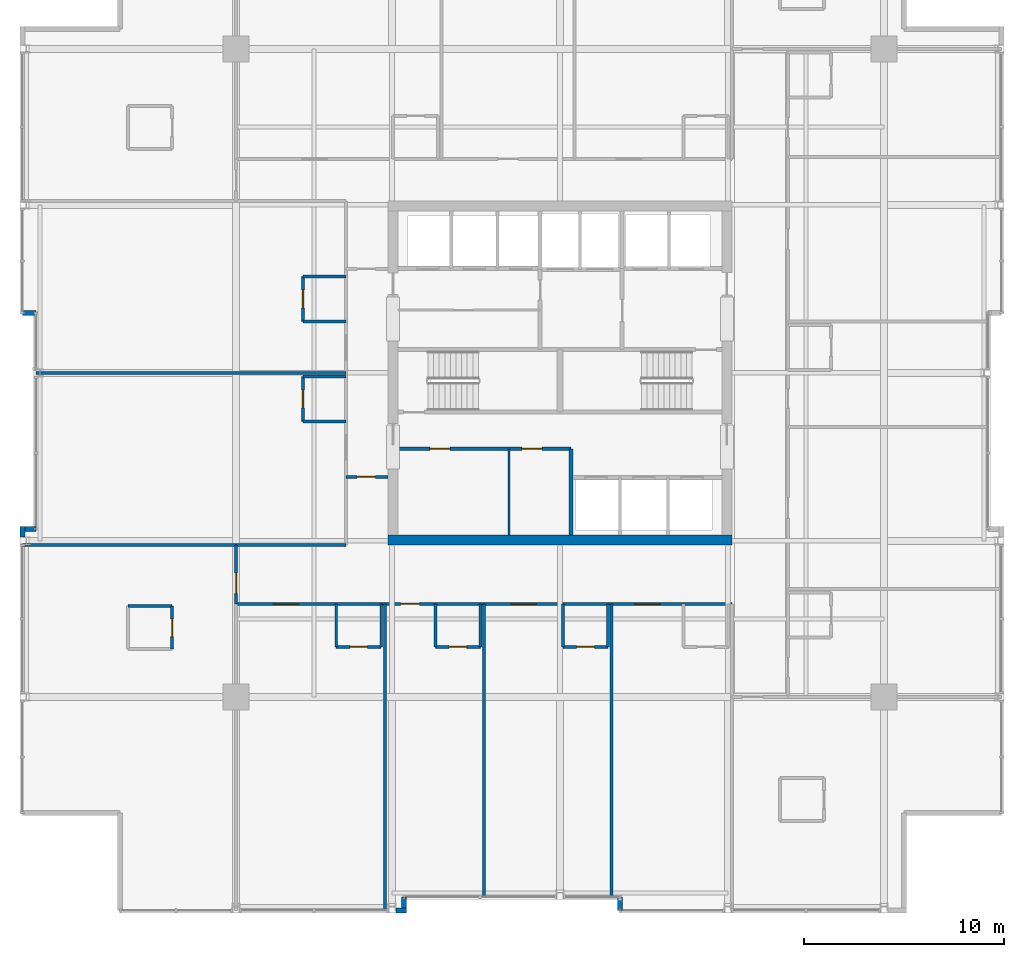
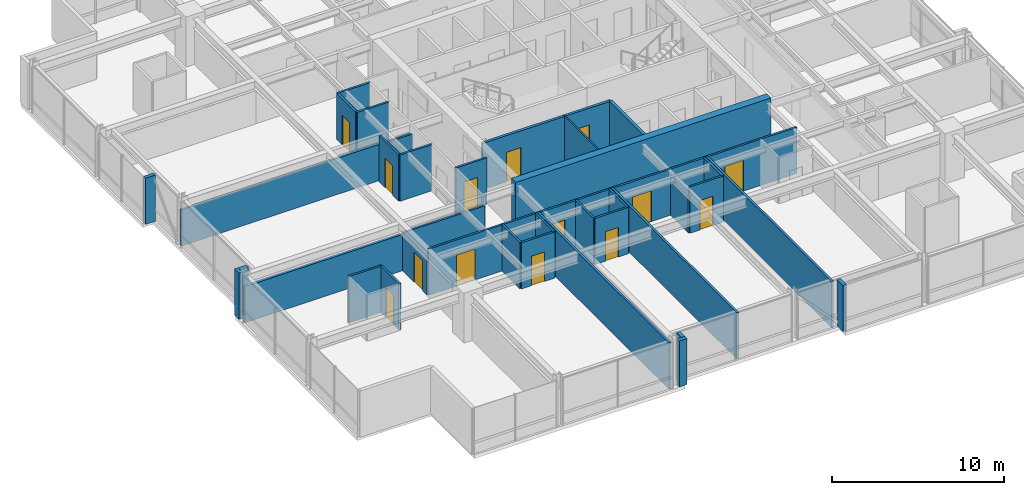
# One storey, part 27 of 34: 36 walls, 14 doors, 14 openings.
"""IFC4 building model written with IfcOpenShell, lengths in metres."""

import ifcopenshell
import ifcopenshell.guid

model = None  # the IFC model being written
_history = None  # IfcOwnerHistory: only IFC2X3 demands one
_inside = {}  # id of a spatial element -> (the spatial element, [elements in it])
_under = {}  # id of a project, library or spatial element -> (it, [spatial elements below it])
_declared = {}  # id of a project -> (the project, [libraries it declares])
_typed = {}  # id of a type object -> (the type object, [elements of that type])
_made_of = {}  # id of a material, layer set ... -> (it, [elements and type objects made of it])


def new_model(schema):
    """Start an empty IFC model of exactly this schema.

    Asked for "IFC4X3", IfcOpenShell would pick the latest addendum, in which some entities
    have other attributes; the version numbers below select the first issue.
    IFC2X3 requires an IfcOwnerHistory on every rooted entity: one is made here for all.
    """
    global model, _history
    if schema == "IFC4X3":
        model = ifcopenshell.file(schema_version=(4, 3, 0, 0))
    else:
        model = ifcopenshell.file(schema=schema)
    _inside.clear()
    _under.clear()
    _declared.clear()
    _typed.clear()
    _made_of.clear()
    _history = None
    if model.schema == "IFC2X3":
        org = make("IfcOrganization", Name="unknown")
        user = make(
            "IfcPersonAndOrganization",
            ThePerson=make("IfcPerson", FamilyName="unknown"),
            TheOrganization=org,
        )
        app = make(
            "IfcApplication",
            ApplicationDeveloper=org,
            Version="unknown",
            ApplicationFullName="unknown",
            ApplicationIdentifier="unknown",
        )
        _history = make(
            "IfcOwnerHistory",
            OwningUser=user,
            OwningApplication=app,
            ChangeAction="ADDED",
            CreationDate=0,
        )
    return model


def make(cls, **values):
    """One entity of the class cls with the attributes given. An attribute that is None is left unset."""
    return model.create_entity(
        cls, **{name: value for name, value in values.items() if value is not None}
    )


def rooted(cls, **values):
    """An entity with a GlobalId (a new one), such as an element, a storey or a relation."""
    return make(cls, GlobalId=ifcopenshell.guid.new(), OwnerHistory=_history, **values)


def si_unit(unit_type, name, prefix=None):
    """IfcSIUnit, for example si_unit("LENGTHUNIT", "METRE", prefix="MILLI")."""
    return make("IfcSIUnit", UnitType=unit_type, Prefix=prefix, Name=name)


def assignment(units):
    """IfcUnitAssignment: the units of a project."""
    return None if units is None else make("IfcUnitAssignment", Units=units)


def point(xyz):
    """IfcCartesianPoint."""
    return None if xyz is None else make("IfcCartesianPoint", Coordinates=xyz)


def direction(xyz):
    """IfcDirection."""
    return None if xyz is None else make("IfcDirection", DirectionRatios=xyz)


def frame(location, z_axis=None, x_axis=None):
    """IfcAxis2Placement3D, a coordinate frame: its origin and axes. An axis left out is left unset."""
    return make(
        "IfcAxis2Placement3D",
        Location=point(location),
        Axis=direction(z_axis),
        RefDirection=direction(x_axis),
    )


def frame_2d(location, x_axis=None):
    """IfcAxis2Placement2D, a coordinate frame in the plane: its origin and x axis."""
    return make(
        "IfcAxis2Placement2D", Location=point(location), RefDirection=direction(x_axis)
    )


def origin():
    """The frame at (0, 0, 0) with its axes left unset."""
    return frame((0.0, 0.0, 0.0))


def place(relative_to, where):
    """IfcLocalPlacement: puts the frame where relative to a parent placement (None: the world)."""
    return make(
        "IfcLocalPlacement", PlacementRelTo=relative_to, RelativePlacement=where
    )


def context(
    kind, dimensions, precision=None, world=None, true_north=None, identifier=None
):
    """IfcGeometricRepresentationContext, for example the 3D "Model" context."""
    return make(
        "IfcGeometricRepresentationContext",
        ContextIdentifier=identifier,
        ContextType=kind,
        CoordinateSpaceDimension=dimensions,
        Precision=precision,
        WorldCoordinateSystem=world,
        TrueNorth=true_north,
    )


def subcontext(parent, identifier, kind, view, scale=None):
    """IfcGeometricRepresentationSubContext, for example "Body" below "Model"."""
    return make(
        "IfcGeometricRepresentationSubContext",
        ContextIdentifier=identifier,
        ContextType=kind,
        ParentContext=parent,
        TargetScale=scale,
        TargetView=view,
    )


def project(units=None, contexts=None):
    """IfcProject with its units and contexts."""
    return rooted(
        "IfcProject",
        Name="project",
        RepresentationContexts=contexts,
        UnitsInContext=assignment(units),
    )


def spatial(cls, under=None, at=None, **own):
    """A site, building, storey or space (cls), placed at a placement, below another one or the project."""
    s = rooted(cls, ObjectPlacement=at, **own)
    if under is not None:
        _under.setdefault(under.id(), (under, []))[1].append(s)
    return s


def profile(cls, at=None, kind="AREA", **sizes):
    """A parametric profile (cls). Its sizes go by their IFC names, for example OverallWidth=200.0."""
    return make(cls, ProfileType=kind, Position=at, **sizes)


def rectangle(**sizes):
    """IfcRectangleProfileDef."""
    return profile("IfcRectangleProfileDef", **sizes)


def extrude(swept, where, along, depth):
    """IfcExtrudedAreaSolid: the profile swept, set in the frame where, extruded along a direction by depth."""
    return make(
        "IfcExtrudedAreaSolid",
        SweptArea=swept,
        Position=where,
        ExtrudedDirection=direction(along),
        Depth=depth,
    )


def shape(context_of_items, identifier, shape_type, items):
    """IfcShapeRepresentation: the items that make up one representation, for example the "Body"."""
    return make(
        "IfcShapeRepresentation",
        ContextOfItems=context_of_items,
        RepresentationIdentifier=identifier,
        RepresentationType=shape_type,
        Items=items,
    )


def material(Name=None, Category=None):
    """IfcMaterial."""
    return make("IfcMaterial", Name=Name, Category=Category)


def layer(
    of_material, thickness, ventilated=None, Name=None, Category=None, Priority=None
):
    """IfcMaterialLayer: one layer of a wall or slab, of a material (None: an air gap)."""
    return make(
        "IfcMaterialLayer",
        Material=of_material,
        LayerThickness=thickness,
        IsVentilated=ventilated,
        Name=Name,
        Category=Category,
        Priority=Priority,
    )


def layer_set(layers, Name=None):
    """IfcMaterialLayerSet."""
    return make("IfcMaterialLayerSet", MaterialLayers=layers, LayerSetName=Name)


def made_of(thing, what):
    """Note that an element or type object is made of a material, layer set ...; save() writes the relation."""
    if what is not None:
        _made_of.setdefault(what.id(), (what, []))[1].append(thing)
    return thing


def type_object(cls, material=None, **own):
    """A type object (cls), such as IfcWallType, which elements share."""
    return made_of(rooted(cls, **own), material)


def element(
    cls,
    number,
    at=None,
    inside=None,
    cuts=None,
    type_object=None,
    material=None,
    context=None,
    identifier="Body",
    shape_type=None,
    held_by="IfcProductDefinitionShape",
    body=None,
    shapes=None,
    **own,
):
    """One element of the class cls, such as IfcWall. Its Tag is "e" and its number.

    at: its placement. inside: the storey or other place that contains it. cuts: it is an
    opening in that element (IfcRelVoidsElement). A single representation is given by context,
    identifier, shape_type and body (its items); several are given by shapes. held_by: the class
    of the entity that holds the representations. save() writes the other relations.
    """
    e = rooted(cls, Tag="e%d" % number, ObjectPlacement=at, **own)
    if body is not None:
        shapes = [shape(context, identifier, shape_type, body)]
    if shapes is not None:
        e.Representation = make(held_by, Representations=shapes)
    if inside is not None:
        _inside.setdefault(inside.id(), (inside, []))[1].append(e)
    if cuts is not None:
        rooted(
            "IfcRelVoidsElement", RelatingBuildingElement=cuts, RelatedOpeningElement=e
        )
    if type_object is not None:
        _typed.setdefault(type_object.id(), (type_object, []))[1].append(e)
    return made_of(e, material)


def fill(opening, filler):
    """IfcRelFillsElement: the door or window that sits in an opening."""
    return rooted(
        "IfcRelFillsElement",
        RelatingOpeningElement=opening,
        RelatedBuildingElement=filler,
    )


def aggregate(whole, parts):
    """IfcRelAggregates: a whole, such as a stair, and the parts it consists of."""
    return rooted("IfcRelAggregates", RelatingObject=whole, RelatedObjects=parts)


def save(model, path):
    """Write the relations noted so far, then the file.

    IfcRelAggregates (storeys below a building ...), IfcRelContainedInSpatialStructure (elements
    in a storey), IfcRelDefinesByType, IfcRelAssociatesMaterial and IfcRelDeclares: one each for
    every whole, place, type object, material and project.
    """
    for whole, parts in _under.values():
        aggregate(whole, parts)
    for where, things in _inside.values():
        rooted(
            "IfcRelContainedInSpatialStructure",
            RelatedElements=things,
            RelatingStructure=where,
        )
    for kind, things in _typed.values():
        rooted("IfcRelDefinesByType", RelatedObjects=things, RelatingType=kind)
    for what, things in _made_of.values():
        rooted("IfcRelAssociatesMaterial", RelatedObjects=things, RelatingMaterial=what)
    for by, libraries in _declared.values():
        rooted("IfcRelDeclares", RelatingContext=by, RelatedDefinitions=libraries)
    model.write(path)


model = new_model("IFC4")

# Units and contexts
model_context = context("Model", 3, precision=1e-05, world=origin(), true_north=direction((0.0, 1.0)))
body_context = subcontext(model_context, "Body", "Model", "MODEL_VIEW")
ifc_project = project(units=[si_unit("LENGTHUNIT", "METRE"), si_unit("AREAUNIT", "SQUARE_METRE"), si_unit("VOLUMEUNIT", "CUBIC_METRE"), si_unit("PLANEANGLEUNIT", "RADIAN"), si_unit("MASSUNIT", "GRAM", prefix="KILO")], contexts=[model_context])

# Site, building, storey
site_placement = place(None, origin())
site = spatial("IfcSite", under=ifc_project, at=site_placement, CompositionType="ELEMENT")
building_placement = place(site_placement, origin())
building = spatial("IfcBuilding", under=site, at=building_placement, Name="Drelvath Grand Hotel", CompositionType="ELEMENT")
storey_placement = place(building_placement, frame((0.0, 0.0, 175.25)))
storey = spatial("IfcBuildingStorey", under=building, at=storey_placement, Name="L45", CompositionType="ELEMENT", Elevation=175.25)

# Walls
ifc_material_1 = material(Name="Gypsum Partition Board")
ifc_layer_1 = layer(ifc_material_1, 0.10009765625)
ifc_layer_set_1 = layer_set([ifc_layer_1], Name="Gypsum Partition Board")
wall_type_1 = type_object("IfcWallType", Name="Core Closet Partition 100", PredefinedType="PARTITIONING", material=ifc_layer_set_1)
wall_1_placement = place(storey_placement, frame((-2.5400390625, 18.89990234375, 0.0), z_axis=(0.0, 0.0, 1.0), x_axis=(0.0, 1.0, 0.0)))
element("IfcWall", 1, at=wall_1_placement, inside=storey, type_object=wall_type_1, Name="L45 Reclaimed Core Split Wall", PredefinedType="PARTITIONING", context=body_context, shape_type="SweptSolid", body=[
    extrude(rectangle(XDim=4.300048828125, YDim=0.10009765625, at=frame_2d((2.14990234375, 0.0))), origin(), (0.0, 0.0, 1.0), 3.2900390625),
])
ifc_material_2 = material(Name="Concrete C40/50", Category="concrete")
ifc_layer_2 = layer(ifc_material_2, 0.199951171875)
ifc_layer_set_2 = layer_set([ifc_layer_2], Name="Concrete C40/50")
wall_type_2 = type_object("IfcWallType", Name="Core Hoistway Fire Wall 200", PredefinedType="SOLIDWALL", material=ifc_layer_set_2)
wall_2_placement = place(storey_placement, frame((0.550048828125, 18.89990234375, 0.0), z_axis=(0.0, 0.0, 1.0), x_axis=(0.0, 1.0, 0.0)))
element("IfcWall", 2, at=wall_2_placement, inside=storey, type_object=wall_type_2, Name="L45 Bank 2 West Wall", PredefinedType="SOLIDWALL", context=body_context, shape_type="SweptSolid", body=[
    extrude(rectangle(XDim=4.300048828125, YDim=0.199951171875, at=frame_2d((2.14990234375, 0.0))), origin(), (0.0, 0.0, 1.0), 3.2900390625),
])

# Wall, opening, door
ifc_material_3 = material(Name="Gypsum Fireboard Partition")
ifc_layer_3 = layer(ifc_material_3, 0.135009765625)
ifc_layer_set_3 = layer_set([ifc_layer_3], Name="Gypsum Fireboard Partition")
wall_type_3 = type_object("IfcWallType", Name="Corridor Fire Barrier Wall 135", PredefinedType="PARTITIONING", material=ifc_layer_set_3)
wall_3_placement = place(storey_placement, frame((-10.699951171875, 21.800048828125, 0.0), z_axis=(0.0, 0.0, 1.0), x_axis=(1.0, 0.0, 0.0)))
wall_3 = element("IfcWall", 3, at=wall_3_placement, inside=storey, type_object=wall_type_3, Name="L45 West Foyer South Wall", PredefinedType="PARTITIONING", context=body_context, shape_type="SweptSolid", body=[
    extrude(rectangle(XDim=2.099853515625, YDim=0.135009765625, at=frame_2d((1.0498046875, 0.0))), origin(), (0.0, 0.0, 1.0), 3.2900390625),
])
opening_1_placement = place(wall_3_placement, frame((0.550048828125, 0.0, 0.0)))
opening_1 = element("IfcOpeningElement", 4, at=opening_1_placement, cuts=wall_3, Name="Opening D-T3G3-022", PredefinedType="OPENING", context=body_context, shape_type="SweptSolid", body=[
    extrude(rectangle(XDim=0.919921875, YDim=2.10009765625, at=frame_2d((0.4599609375, 1.050048828125))), frame((0.0, 0.077392578125, 0.0), z_axis=(0.0, -1.0, 0.0), x_axis=(1.0, 0.0, 0.0)), (0.0, 0.0, 1.0), 0.155029296875),
])
ifc_material_4 = material(Name="Painted Steel S275", Category="steel")
door_type_1 = type_object("IfcDoorType", Name="Staff Utility Door 920x2100", OperationType="NOTDEFINED", PredefinedType="DOOR", material=ifc_material_4)
door_1_placement = place(opening_1_placement, origin())
door_1 = element("IfcDoor", 5, at=door_1_placement, inside=storey, type_object=door_type_1, Name="L45 West Linen Closet Door", OperationType="SINGLE_SWING_RIGHT", OverallHeight=2.10009765625, OverallWidth=0.919921875, PredefinedType="DOOR", context=body_context, shape_type="SweptSolid", body=[
    extrude(rectangle(XDim=0.919921875, YDim=2.10009765625, at=frame_2d((0.4599609375, 1.050048828125))), frame((0.0, 0.02490234375, 0.0), z_axis=(0.0, -1.0, 0.0), x_axis=(1.0, 0.0, 0.0)), (0.0, 0.0, 1.0), 0.050048828125),
])
fill(opening_1, door_1)

# Wall
wall_4_placement = place(storey_placement, frame((-16.199951171875, 18.39990234375, 0.0), z_axis=(0.0, 0.0, 1.0), x_axis=(1.0, 0.0, 0.0)))
element("IfcWall", 6, at=wall_4_placement, inside=storey, type_object=wall_type_3, Name="L45 SW Stub North Wall", PredefinedType="PARTITIONING", context=body_context, shape_type="SweptSolid", body=[
    extrude(rectangle(XDim=5.5, YDim=0.135009765625, at=frame_2d((2.75, 0.0))), origin(), (0.0, 0.0, 1.0), 2.66748046875),
])

# Wall, openings, doors
wall_5_placement = place(storey_placement, frame((-16.199951171875, 15.449951171875, 0.0), z_axis=(0.0, 0.0, 1.0), x_axis=(1.0, 0.0, 0.0)))
wall_5 = element("IfcWall", 7, at=wall_5_placement, inside=storey, type_object=wall_type_3, Name="L45 South Stub Corridor Wall", PredefinedType="PARTITIONING", context=body_context, shape_type="SweptSolid", body=[
    extrude(rectangle(XDim=24.800048828125, YDim=0.135009765625, at=frame_2d((12.39990234375, 0.0))), origin(), (0.0, 0.0, 1.0), 3.2900390625),
])
opening_2_placement = place(wall_5_placement, frame((1.875, 0.0, 0.0)))
opening_2 = element("IfcOpeningElement", 8, at=opening_2_placement, cuts=wall_5, Name="Opening D-T3G3-033", PredefinedType="OPENING", context=body_context, shape_type="SweptSolid", body=[
    extrude(rectangle(XDim=1.260009765625, YDim=2.199951171875, at=frame_2d((0.6298828125, 1.10009765625))), frame((0.0, 0.077392578125, 0.0), z_axis=(0.0, -1.0, 0.0), x_axis=(1.0, 0.0, 0.0)), (0.0, 0.0, 1.0), 0.155029296875),
])
opening_3_placement = place(wall_5_placement, frame((8.22509765625, 0.0, 0.0)))
opening_3 = element("IfcOpeningElement", 9, at=opening_3_placement, cuts=wall_5, Name="Opening D-T3G3-035", PredefinedType="OPENING", context=body_context, shape_type="SweptSolid", body=[
    extrude(rectangle(XDim=0.9599609375, YDim=2.14990234375, at=frame_2d((0.47998046875, 1.074951171875))), frame((0.0, 0.077392578125, 0.0), z_axis=(0.0, -1.0, 0.0), x_axis=(1.0, 0.0, 0.0)), (0.0, 0.0, 1.0), 0.155029296875),
])
opening_4_placement = place(wall_5_placement, frame((13.7451171875, 0.0, 0.0)))
opening_4 = element("IfcOpeningElement", 10, at=opening_4_placement, cuts=wall_5, Name="Opening D-T3G3-037", PredefinedType="OPENING", context=body_context, shape_type="SweptSolid", body=[
    extrude(rectangle(XDim=1.260009765625, YDim=2.199951171875, at=frame_2d((0.6298828125, 1.10009765625))), frame((0.0, 0.077392578125, 0.0), z_axis=(0.0, -1.0, 0.0), x_axis=(1.0, 0.0, 0.0)), (0.0, 0.0, 1.0), 0.155029296875),
])
opening_5_placement = place(wall_5_placement, frame((19.945068359375, 0.0, 0.0)))
opening_5 = element("IfcOpeningElement", 11, at=opening_5_placement, cuts=wall_5, Name="Opening D-T3G3-039", PredefinedType="OPENING", context=body_context, shape_type="SweptSolid", body=[
    extrude(rectangle(XDim=1.260009765625, YDim=2.199951171875, at=frame_2d((0.6298828125, 1.10009765625))), frame((0.0, 0.077392578125, 0.0), z_axis=(0.0, -1.0, 0.0), x_axis=(1.0, 0.0, 0.0)), (0.0, 0.0, 1.0), 0.155029296875),
])
ifc_material_5 = material(Name="Hardwood Walnut Timber", Category="wood")
door_type_2 = type_object("IfcDoorType", Name="Guestroom Entrance Fire Door 960x2150", OperationType="NOTDEFINED", PredefinedType="DOOR", material=ifc_material_5)
door_2_placement = place(opening_3_placement, origin())
door_2 = element("IfcDoor", 12, at=door_2_placement, inside=storey, type_object=door_type_2, Name="L45 King Guest Room Entry Door", OperationType="SINGLE_SWING_LEFT", OverallHeight=2.14990234375, OverallWidth=0.9599609375, PredefinedType="DOOR", context=body_context, shape_type="SweptSolid", body=[
    extrude(rectangle(XDim=0.9599609375, YDim=2.14990234375, at=frame_2d((0.47998046875, 1.074951171875))), frame((0.0, 0.02490234375, 0.0), z_axis=(0.0, -1.0, 0.0), x_axis=(1.0, 0.0, 0.0)), (0.0, 0.0, 1.0), 0.050048828125),
])
fill(opening_3, door_2)
door_type_3 = type_object("IfcDoorType", Name="Suite Entrance Fire Door 1260x2200", OperationType="NOTDEFINED", PredefinedType="DOOR", material=ifc_material_5)
door_3_placement = place(opening_2_placement, origin())
door_3 = element("IfcDoor", 13, at=door_3_placement, inside=storey, type_object=door_type_3, Name="L45 Executive Suite Entry Door", OperationType="SINGLE_SWING_LEFT", OverallHeight=2.199951171875, OverallWidth=1.260009765625, PredefinedType="DOOR", context=body_context, shape_type="SweptSolid", body=[
    extrude(rectangle(XDim=1.260009765625, YDim=2.199951171875, at=frame_2d((0.6298828125, 1.10009765625))), frame((0.0, 0.02490234375, 0.0), z_axis=(0.0, -1.0, 0.0), x_axis=(1.0, 0.0, 0.0)), (0.0, 0.0, 1.0), 0.050048828125),
])
fill(opening_2, door_3)
door_4_placement = place(opening_4_placement, origin())
door_4 = element("IfcDoor", 14, at=door_4_placement, inside=storey, type_object=door_type_3, Name="L45 Executive Suite Entry Door", OperationType="SINGLE_SWING_LEFT", OverallHeight=2.199951171875, OverallWidth=1.260009765625, PredefinedType="DOOR", context=body_context, shape_type="SweptSolid", body=[
    extrude(rectangle(XDim=1.260009765625, YDim=2.199951171875, at=frame_2d((0.6298828125, 1.10009765625))), frame((0.0, 0.02490234375, 0.0), z_axis=(0.0, -1.0, 0.0), x_axis=(1.0, 0.0, 0.0)), (0.0, 0.0, 1.0), 0.050048828125),
])
fill(opening_4, door_4)
door_5_placement = place(opening_5_placement, origin())
door_5 = element("IfcDoor", 15, at=door_5_placement, inside=storey, type_object=door_type_3, Name="L45 Executive Suite Entry Door", OperationType="SINGLE_SWING_LEFT", OverallHeight=2.199951171875, OverallWidth=1.260009765625, PredefinedType="DOOR", context=body_context, shape_type="SweptSolid", body=[
    extrude(rectangle(XDim=1.260009765625, YDim=2.199951171875, at=frame_2d((0.6298828125, 1.10009765625))), frame((0.0, 0.02490234375, 0.0), z_axis=(0.0, -1.0, 0.0), x_axis=(1.0, 0.0, 0.0)), (0.0, 0.0, 1.0), 0.050048828125),
])
fill(opening_5, door_5)

# Wall, opening, door
wall_6_placement = place(storey_placement, frame((-16.199951171875, 15.449951171875, 0.0), z_axis=(0.0, 0.0, 1.0), x_axis=(0.0, 1.0, 0.0)))
wall_6 = element("IfcWall", 16, at=wall_6_placement, inside=storey, type_object=wall_type_3, Name="L45 South Stub West End", PredefinedType="PARTITIONING", context=body_context, shape_type="SweptSolid", body=[
    extrude(rectangle(XDim=2.949951171875, YDim=0.135009765625, at=frame_2d((1.47509765625, 0.0))), origin(), (0.0, 0.0, 1.0), 2.57958984375),
])
opening_6_placement = place(wall_6_placement, frame((0.52001953125, 0.0, 0.0)))
opening_6 = element("IfcOpeningElement", 17, at=opening_6_placement, cuts=wall_6, Name="Opening D-T3G3-025", PredefinedType="OPENING", context=body_context, shape_type="SweptSolid", body=[
    extrude(rectangle(XDim=1.02001953125, YDim=2.14990234375, at=frame_2d((0.510009765625, 1.074951171875))), frame((0.0, 0.077392578125, 0.0), z_axis=(0.0, -1.0, 0.0), x_axis=(1.0, 0.0, 0.0)), (0.0, 0.0, 1.0), 0.155029296875),
])
door_type_4 = type_object("IfcDoorType", Name="Amenity Meeting Fire Door 1020x2150", OperationType="NOTDEFINED", PredefinedType="DOOR", material=ifc_material_5)
door_6_placement = place(opening_6_placement, origin())
door_6 = element("IfcDoor", 18, at=door_6_placement, inside=storey, type_object=door_type_4, Name="L45 Executive Suite Entry Door", OperationType="SINGLE_SWING_LEFT", OverallHeight=2.14990234375, OverallWidth=1.02001953125, PredefinedType="DOOR", context=body_context, shape_type="SweptSolid", body=[
    extrude(rectangle(XDim=1.02001953125, YDim=2.14990234375, at=frame_2d((0.510009765625, 1.074951171875))), frame((0.0, 0.02490234375, 0.0), z_axis=(0.0, -1.0, 0.0), x_axis=(1.0, 0.0, 0.0)), (0.0, 0.0, 1.0), 0.050048828125),
])
fill(opening_6, door_6)

# Wall
ifc_material_6 = material(Name="Moisture-Resistant Gypsum Board")
ifc_layer_4 = layer(ifc_material_6, 0.139892578125)
ifc_layer_set_4 = layer_set([ifc_layer_4], Name="Moisture-Resistant Gypsum Board")
wall_type_4 = type_object("IfcWallType", Name="En-Suite Plumbing Wall 140", PredefinedType="PLUMBINGWALL", material=ifc_layer_set_4)
wall_7_placement = place(storey_placement, frame((-21.60009765625, 15.35009765625, 0.0), z_axis=(0.0, 0.0, 1.0), x_axis=(1.0, 0.0, 0.0)))
element("IfcWall", 19, at=wall_7_placement, inside=storey, type_object=wall_type_4, Name="L45 Corner En-Suite North", PredefinedType="PLUMBINGWALL", context=body_context, shape_type="SweptSolid", body=[
    extrude(rectangle(XDim=2.2001953125, YDim=0.139892578125, at=frame_2d((1.10009765625, 0.0))), origin(), (0.0, 0.0, 1.0), 3.2900390625),
])

# Wall, opening, door
wall_8_placement = place(storey_placement, frame((-19.39990234375, 13.199951171875, 0.0), z_axis=(0.0, 0.0, 1.0), x_axis=(0.0, 1.0, 0.0)))
wall_8 = element("IfcWall", 20, at=wall_8_placement, inside=storey, type_object=wall_type_4, Name="L45 Corner En-Suite East", PredefinedType="PLUMBINGWALL", context=body_context, shape_type="SweptSolid", body=[
    extrude(rectangle(XDim=2.150146484375, YDim=0.139892578125, at=frame_2d((1.0751953125, 0.0))), origin(), (0.0, 0.0, 1.0), 3.2900390625),
])
opening_7_placement = place(wall_8_placement, frame((0.6201171875, 0.0, 0.0)))
opening_7 = element("IfcOpeningElement", 21, at=opening_7_placement, cuts=wall_8, Name="Opening D-T3G3-024", PredefinedType="OPENING", context=body_context, shape_type="SweptSolid", body=[
    extrude(rectangle(XDim=0.8798828125, YDim=2.10009765625, at=frame_2d((0.43994140625, 1.050048828125))), frame((0.0, 0.079833984375, 0.0), z_axis=(0.0, -1.0, 0.0), x_axis=(1.0, 0.0, 0.0)), (0.0, 0.0, 1.0), 0.159912109375),
])
door_type_5 = type_object("IfcDoorType", Name="En-Suite Bathroom Door 880x2100", OperationType="NOTDEFINED", PredefinedType="DOOR", material=ifc_material_5)
door_7_placement = place(opening_7_placement, origin())
door_7 = element("IfcDoor", 22, at=door_7_placement, inside=storey, type_object=door_type_5, Name="L45 Corner En-Suite Door", OperationType="SINGLE_SWING_RIGHT", OverallHeight=2.10009765625, OverallWidth=0.8798828125, PredefinedType="DOOR", context=body_context, shape_type="SweptSolid", body=[
    extrude(rectangle(XDim=0.8798828125, YDim=2.10009765625, at=frame_2d((0.43994140625, 1.050048828125))), frame((0.0, 0.02490234375, 0.0), z_axis=(0.0, -1.0, 0.0), x_axis=(1.0, 0.0, 0.0)), (0.0, 0.0, 1.0), 0.050048828125),
])
fill(opening_7, door_7)

# Walls
for number, where, z_axis, x_axis, name in (
    (23, (-11.18994140625, 15.449951171875, 0.0), (0.0, 0.0, 1.0), (0.0, -1.0, 0.0), "L45 En-Suite Left Wall"),
    (24, (-8.93994140625, 15.449951171875, 0.0), (0.0, 0.0, 1.0), (0.0, -1.0, 0.0), "L45 En-Suite Right Wall"),
):
    element("IfcWall", number, at=place(storey_placement, frame(where, z_axis=z_axis, x_axis=x_axis)), inside=storey, type_object=wall_type_4, Name=name, PredefinedType="PLUMBINGWALL", context=body_context, shape_type="SweptSolid", body=[
        extrude(rectangle(XDim=2.14990234375, YDim=0.139892578125, at=frame_2d((1.074951171875, 0.0))), origin(), (0.0, 0.0, 1.0), 3.2900390625),
    ])

# Wall, opening, door
wall_9_placement = place(storey_placement, frame((-11.18994140625, 13.300048828125, 0.0), z_axis=(0.0, 0.0, 1.0), x_axis=(1.0, 0.0, 0.0)))
wall_9 = element("IfcWall", 25, at=wall_9_placement, inside=storey, type_object=wall_type_4, Name="L45 En-Suite Front Wall", PredefinedType="PLUMBINGWALL", context=body_context, shape_type="SweptSolid", body=[
    extrude(rectangle(XDim=2.25, YDim=0.139892578125, at=frame_2d((1.125, 0.0))), origin(), (0.0, 0.0, 1.0), 3.2900390625),
])
opening_8_placement = place(wall_9_placement, frame((0.68505859375, 0.0, 0.0)))
opening_8 = element("IfcOpeningElement", 26, at=opening_8_placement, cuts=wall_9, Name="Opening D-T3G3-032", PredefinedType="OPENING", context=body_context, shape_type="SweptSolid", body=[
    extrude(rectangle(XDim=0.8798828125, YDim=2.10009765625, at=frame_2d((0.43994140625, 1.050048828125))), frame((0.0, 0.079833984375, 0.0), z_axis=(0.0, -1.0, 0.0), x_axis=(1.0, 0.0, 0.0)), (0.0, 0.0, 1.0), 0.159912109375),
])
door_8_placement = place(opening_8_placement, origin())
door_8 = element("IfcDoor", 27, at=door_8_placement, inside=storey, type_object=door_type_5, Name="L45 En-Suite Bathroom Door", OperationType="SINGLE_SWING_RIGHT", OverallHeight=2.10009765625, OverallWidth=0.8798828125, PredefinedType="DOOR", context=body_context, shape_type="SweptSolid", body=[
    extrude(rectangle(XDim=0.8798828125, YDim=2.10009765625, at=frame_2d((0.43994140625, 1.050048828125))), frame((0.0, 0.02490234375, 0.0), z_axis=(0.0, -1.0, 0.0), x_axis=(1.0, 0.0, 0.0)), (0.0, 0.0, 1.0), 0.050048828125),
])
fill(opening_8, door_8)

# Walls
for number, where, z_axis, x_axis, name in (
    (28, (-6.22998046875, 15.449951171875, 0.0), (0.0, 0.0, 1.0), (0.0, -1.0, 0.0), "L45 En-Suite Left Wall"),
    (29, (-3.97998046875, 15.449951171875, 0.0), (0.0, 0.0, 1.0), (0.0, -1.0, 0.0), "L45 En-Suite Right Wall"),
):
    element("IfcWall", number, at=place(storey_placement, frame(where, z_axis=z_axis, x_axis=x_axis)), inside=storey, type_object=wall_type_4, Name=name, PredefinedType="PLUMBINGWALL", context=body_context, shape_type="SweptSolid", body=[
        extrude(rectangle(XDim=2.14990234375, YDim=0.139892578125, at=frame_2d((1.074951171875, 0.0))), origin(), (0.0, 0.0, 1.0), 3.2900390625),
    ])

# Wall, opening, door
wall_10_placement = place(storey_placement, frame((-6.22998046875, 13.300048828125, 0.0), z_axis=(0.0, 0.0, 1.0), x_axis=(1.0, 0.0, 0.0)))
wall_10 = element("IfcWall", 30, at=wall_10_placement, inside=storey, type_object=wall_type_4, Name="L45 En-Suite Front Wall", PredefinedType="PLUMBINGWALL", context=body_context, shape_type="SweptSolid", body=[
    extrude(rectangle(XDim=2.25, YDim=0.139892578125, at=frame_2d((1.125, 0.0))), origin(), (0.0, 0.0, 1.0), 3.2900390625),
])
opening_9_placement = place(wall_10_placement, frame((0.68505859375, 0.0, 0.0)))
opening_9 = element("IfcOpeningElement", 31, at=opening_9_placement, cuts=wall_10, Name="Opening D-T3G3-034", PredefinedType="OPENING", context=body_context, shape_type="SweptSolid", body=[
    extrude(rectangle(XDim=0.8798828125, YDim=2.10009765625, at=frame_2d((0.43994140625, 1.050048828125))), frame((0.0, 0.079833984375, 0.0), z_axis=(0.0, -1.0, 0.0), x_axis=(1.0, 0.0, 0.0)), (0.0, 0.0, 1.0), 0.159912109375),
])
door_9_placement = place(opening_9_placement, origin())
door_9 = element("IfcDoor", 32, at=door_9_placement, inside=storey, type_object=door_type_5, Name="L45 En-Suite Bathroom Door", OperationType="SINGLE_SWING_RIGHT", OverallHeight=2.10009765625, OverallWidth=0.8798828125, PredefinedType="DOOR", context=body_context, shape_type="SweptSolid", body=[
    extrude(rectangle(XDim=0.8798828125, YDim=2.10009765625, at=frame_2d((0.43994140625, 1.050048828125))), frame((0.0, 0.02490234375, 0.0), z_axis=(0.0, -1.0, 0.0), x_axis=(1.0, 0.0, 0.0)), (0.0, 0.0, 1.0), 0.050048828125),
])
fill(opening_9, door_9)

# Walls
wall_11_placement = place(storey_placement, frame((0.14990234375, 15.449951171875, 0.0), z_axis=(0.0, 0.0, 1.0), x_axis=(0.0, -1.0, 0.0)))
element("IfcWall", 33, at=wall_11_placement, inside=storey, type_object=wall_type_4, Name="L45 En-Suite Left Wall", PredefinedType="PLUMBINGWALL", context=body_context, shape_type="SweptSolid", body=[
    extrude(rectangle(XDim=2.14990234375, YDim=0.139892578125, at=frame_2d((1.074951171875, 0.0))), origin(), (0.0, 0.0, 1.0), 2.66748046875),
])
wall_12_placement = place(storey_placement, frame((2.39990234375, 15.449951171875, 0.0), z_axis=(0.0, 0.0, 1.0), x_axis=(0.0, -1.0, 0.0)))
element("IfcWall", 34, at=wall_12_placement, inside=storey, type_object=wall_type_4, Name="L45 En-Suite Right Wall", PredefinedType="PLUMBINGWALL", context=body_context, shape_type="SweptSolid", body=[
    extrude(rectangle(XDim=2.14990234375, YDim=0.139892578125, at=frame_2d((1.074951171875, 0.0))), origin(), (0.0, 0.0, 1.0), 3.2900390625),
])

# Wall, opening, door
wall_13_placement = place(storey_placement, frame((0.14990234375, 13.300048828125, 0.0), z_axis=(0.0, 0.0, 1.0), x_axis=(1.0, 0.0, 0.0)))
wall_13 = element("IfcWall", 35, at=wall_13_placement, inside=storey, type_object=wall_type_4, Name="L45 En-Suite Front Wall", PredefinedType="PLUMBINGWALL", context=body_context, shape_type="SweptSolid", body=[
    extrude(rectangle(XDim=2.25, YDim=0.139892578125, at=frame_2d((1.125, 0.0))), origin(), (0.0, 0.0, 1.0), 3.2900390625),
])
opening_10_placement = place(wall_13_placement, frame((0.68505859375, 0.0, 0.0)))
opening_10 = element("IfcOpeningElement", 36, at=opening_10_placement, cuts=wall_13, Name="Opening D-T3G3-036", PredefinedType="OPENING", context=body_context, shape_type="SweptSolid", body=[
    extrude(rectangle(XDim=0.8798828125, YDim=2.10009765625, at=frame_2d((0.43994140625, 1.050048828125))), frame((0.0, 0.079833984375, 0.0), z_axis=(0.0, -1.0, 0.0), x_axis=(1.0, 0.0, 0.0)), (0.0, 0.0, 1.0), 0.159912109375),
])
door_10_placement = place(opening_10_placement, origin())
door_10 = element("IfcDoor", 37, at=door_10_placement, inside=storey, type_object=door_type_5, Name="L45 En-Suite Bathroom Door", OperationType="SINGLE_SWING_RIGHT", OverallHeight=2.10009765625, OverallWidth=0.8798828125, PredefinedType="DOOR", context=body_context, shape_type="SweptSolid", body=[
    extrude(rectangle(XDim=0.8798828125, YDim=2.10009765625, at=frame_2d((0.43994140625, 1.050048828125))), frame((0.0, 0.02490234375, 0.0), z_axis=(0.0, -1.0, 0.0), x_axis=(1.0, 0.0, 0.0)), (0.0, 0.0, 1.0), 0.050048828125),
])
fill(opening_10, door_10)

# Walls
wall_14_placement = place(storey_placement, frame((-10.699951171875, 24.570068359375, 0.0), z_axis=(0.0, 0.0, 1.0), x_axis=(-1.0, 0.0, 0.0)))
element("IfcWall", 38, at=wall_14_placement, inside=storey, type_object=wall_type_4, Name="L45 En-Suite Left Wall", PredefinedType="PLUMBINGWALL", context=body_context, shape_type="SweptSolid", body=[
    extrude(rectangle(XDim=2.150146484375, YDim=0.139892578125, at=frame_2d((1.0751953125, 0.0))), origin(), (0.0, 0.0, 1.0), 3.2900390625),
])
wall_15_placement = place(storey_placement, frame((-10.699951171875, 26.820068359375, 0.0), z_axis=(0.0, 0.0, 1.0), x_axis=(-1.0, 0.0, 0.0)))
element("IfcWall", 39, at=wall_15_placement, inside=storey, type_object=wall_type_4, Name="L45 En-Suite Right Wall", PredefinedType="PLUMBINGWALL", context=body_context, shape_type="SweptSolid", body=[
    extrude(rectangle(XDim=2.150146484375, YDim=0.139892578125, at=frame_2d((1.0751953125, 0.0))), origin(), (0.0, 0.0, 1.0), 2.66748046875),
])

# Wall, opening, door
wall_16_placement = place(storey_placement, frame((-12.85009765625, 24.570068359375, 0.0), z_axis=(0.0, 0.0, 1.0), x_axis=(0.0, 1.0, 0.0)))
wall_16 = element("IfcWall", 40, at=wall_16_placement, inside=storey, type_object=wall_type_4, Name="L45 En-Suite Front Wall", PredefinedType="PLUMBINGWALL", context=body_context, shape_type="SweptSolid", body=[
    extrude(rectangle(XDim=2.25, YDim=0.139892578125, at=frame_2d((1.125, 0.0))), origin(), (0.0, 0.0, 1.0), 3.2900390625),
])
opening_11_placement = place(wall_16_placement, frame((0.68505859375, 0.0, 0.0)))
opening_11 = element("IfcOpeningElement", 41, at=opening_11_placement, cuts=wall_16, Name="Opening D-T3G3-053", PredefinedType="OPENING", context=body_context, shape_type="SweptSolid", body=[
    extrude(rectangle(XDim=0.8798828125, YDim=2.10009765625, at=frame_2d((0.43994140625, 1.050048828125))), frame((0.0, 0.079833984375, 0.0), z_axis=(0.0, -1.0, 0.0), x_axis=(1.0, 0.0, 0.0)), (0.0, 0.0, 1.0), 0.159912109375),
])
door_11_placement = place(opening_11_placement, origin())
door_11 = element("IfcDoor", 42, at=door_11_placement, inside=storey, type_object=door_type_5, Name="L45 En-Suite Bathroom Door", OperationType="SINGLE_SWING_LEFT", OverallHeight=2.10009765625, OverallWidth=0.8798828125, PredefinedType="DOOR", context=body_context, shape_type="SweptSolid", body=[
    extrude(rectangle(XDim=0.8798828125, YDim=2.10009765625, at=frame_2d((0.43994140625, 1.050048828125))), frame((0.0, 0.02490234375, 0.0), z_axis=(0.0, -1.0, 0.0), x_axis=(1.0, 0.0, 0.0)), (0.0, 0.0, 1.0), 0.050048828125),
])
fill(opening_11, door_11)

# Walls
for number, where, z_axis, x_axis, name in (
    (43, (-10.699951171875, 29.570068359375, 0.0), (0.0, 0.0, 1.0), (-1.0, 0.0, 0.0), "L45 En-Suite Left Wall"),
    (44, (-10.699951171875, 31.820068359375, 0.0), (0.0, 0.0, 1.0), (-1.0, 0.0, 0.0), "L45 En-Suite Right Wall"),
):
    element("IfcWall", number, at=place(storey_placement, frame(where, z_axis=z_axis, x_axis=x_axis)), inside=storey, type_object=wall_type_4, Name=name, PredefinedType="PLUMBINGWALL", context=body_context, shape_type="SweptSolid", body=[
        extrude(rectangle(XDim=2.150146484375, YDim=0.139892578125, at=frame_2d((1.0751953125, 0.0))), origin(), (0.0, 0.0, 1.0), 3.2900390625),
    ])

# Wall, opening, door
wall_17_placement = place(storey_placement, frame((-12.85009765625, 29.570068359375, 0.0), z_axis=(0.0, 0.0, 1.0), x_axis=(0.0, 1.0, 0.0)))
wall_17 = element("IfcWall", 45, at=wall_17_placement, inside=storey, type_object=wall_type_4, Name="L45 En-Suite Front Wall", PredefinedType="PLUMBINGWALL", context=body_context, shape_type="SweptSolid", body=[
    extrude(rectangle(XDim=2.25, YDim=0.139892578125, at=frame_2d((1.125, 0.0))), origin(), (0.0, 0.0, 1.0), 3.2900390625),
])
opening_12_placement = place(wall_17_placement, frame((0.68505859375, 0.0, 0.0)))
opening_12 = element("IfcOpeningElement", 46, at=opening_12_placement, cuts=wall_17, Name="Opening D-T3G3-055", PredefinedType="OPENING", context=body_context, shape_type="SweptSolid", body=[
    extrude(rectangle(XDim=0.8798828125, YDim=2.10009765625, at=frame_2d((0.43994140625, 1.050048828125))), frame((0.0, 0.079833984375, 0.0), z_axis=(0.0, -1.0, 0.0), x_axis=(1.0, 0.0, 0.0)), (0.0, 0.0, 1.0), 0.159912109375),
])
door_12_placement = place(opening_12_placement, origin())
door_12 = element("IfcDoor", 47, at=door_12_placement, inside=storey, type_object=door_type_5, Name="L45 En-Suite Bathroom Door", OperationType="SINGLE_SWING_LEFT", OverallHeight=2.10009765625, OverallWidth=0.8798828125, PredefinedType="DOOR", context=body_context, shape_type="SweptSolid", body=[
    extrude(rectangle(XDim=0.8798828125, YDim=2.10009765625, at=frame_2d((0.43994140625, 1.050048828125))), frame((0.0, 0.02490234375, 0.0), z_axis=(0.0, -1.0, 0.0), x_axis=(1.0, 0.0, 0.0)), (0.0, 0.0, 1.0), 0.050048828125),
])
fill(opening_12, door_12)

# Wall, openings, doors
ifc_layer_5 = layer(ifc_material_3, 0.179931640625)
ifc_layer_set_5 = layer_set([ifc_layer_5], Name="Gypsum Fireboard Partition")
wall_type_5 = type_object("IfcWallType", Name="FSAE Smoke Lobby Fire Wall 180", PredefinedType="SOLIDWALL", material=ifc_layer_set_5)
wall_18_placement = place(storey_placement, frame((-8.10009765625, 23.199951171875, 0.0), z_axis=(0.0, 0.0, 1.0), x_axis=(1.0, 0.0, 0.0)))
wall_18 = element("IfcWall", 48, at=wall_18_placement, inside=storey, type_object=wall_type_5, Name="L45 Reclaimed Core Room Wall", PredefinedType="SOLIDWALL", context=body_context, shape_type="SweptSolid", body=[
    extrude(rectangle(XDim=8.650146484375, YDim=0.179931640625, at=frame_2d((4.3251953125, 0.0))), origin(), (0.0, 0.0, 1.0), 3.2900390625),
])
opening_13_placement = place(wall_18_placement, frame((1.60009765625, 0.0, 0.0)))
opening_13 = element("IfcOpeningElement", 49, at=opening_13_placement, cuts=wall_18, Name="Opening D-T3G3-020", PredefinedType="OPENING", context=body_context, shape_type="SweptSolid", body=[
    extrude(rectangle(XDim=1.0, YDim=2.10009765625, at=frame_2d((0.5, 1.050048828125))), frame((0.0, 0.099853515625, 0.0), z_axis=(0.0, -1.0, 0.0), x_axis=(1.0, 0.0, 0.0)), (0.0, 0.0, 1.0), 0.199951171875),
])
opening_14_placement = place(wall_18_placement, frame((6.199951171875, 0.0, 0.0)))
opening_14 = element("IfcOpeningElement", 50, at=opening_14_placement, cuts=wall_18, Name="Opening D-T3G3-021", PredefinedType="OPENING", context=body_context, shape_type="SweptSolid", body=[
    extrude(rectangle(XDim=1.0, YDim=2.10009765625, at=frame_2d((0.5, 1.050048828125))), frame((0.0, 0.099853515625, 0.0), z_axis=(0.0, -1.0, 0.0), x_axis=(1.0, 0.0, 0.0)), (0.0, 0.0, 1.0), 0.199951171875),
])
door_type_6 = type_object("IfcDoorType", Name="Core Service Fire Door 1000x2100", OperationType="NOTDEFINED", PredefinedType="DOOR", material=ifc_material_4)
door_13_placement = place(opening_13_placement, origin())
door_13 = element("IfcDoor", 51, at=door_13_placement, inside=storey, type_object=door_type_6, Name="L45 Housekeeping Door", OperationType="SINGLE_SWING_RIGHT", OverallHeight=2.10009765625, OverallWidth=1.0, PredefinedType="DOOR", context=body_context, shape_type="SweptSolid", body=[
    extrude(rectangle(XDim=1.0, YDim=2.10009765625, at=frame_2d((0.5, 1.050048828125))), frame((0.0, 0.02490234375, 0.0), z_axis=(0.0, -1.0, 0.0), x_axis=(1.0, 0.0, 0.0)), (0.0, 0.0, 1.0), 0.050048828125),
])
fill(opening_13, door_13)
door_14_placement = place(opening_14_placement, origin())
door_14 = element("IfcDoor", 52, at=door_14_placement, inside=storey, type_object=door_type_6, Name="L45 Butler Pantry Door", OperationType="SINGLE_SWING_LEFT", OverallHeight=2.10009765625, OverallWidth=1.0, PredefinedType="DOOR", context=body_context, shape_type="SweptSolid", body=[
    extrude(rectangle(XDim=1.0, YDim=2.10009765625, at=frame_2d((0.5, 1.050048828125))), frame((0.0, 0.02490234375, 0.0), z_axis=(0.0, -1.0, 0.0), x_axis=(1.0, 0.0, 0.0)), (0.0, 0.0, 1.0), 0.050048828125),
])
fill(opening_14, door_14)

# Walls
ifc_material_7 = material(Name="Gypsum Acoustic Partition")
ifc_layer_6 = layer(ifc_material_7, 0.14990234375)
ifc_layer_set_6 = layer_set([ifc_layer_6], Name="Gypsum Acoustic Partition")
wall_type_6 = type_object("IfcWallType", Name="Guestroom Demising Wall 150", PredefinedType="PARTITIONING", material=ifc_layer_set_6)
wall_19_placement = place(storey_placement, frame((-8.760009765625, 0.1201171875, 0.0), z_axis=(0.0, 0.0, 1.0), x_axis=(0.0, 1.0, 0.0)))
element("IfcWall", 53, at=wall_19_placement, inside=storey, type_object=wall_type_6, Name="L45 South Demising 1", PredefinedType="PARTITIONING", context=body_context, shape_type="SweptSolid", body=[
    extrude(rectangle(XDim=15.329833984375, YDim=0.14990234375, at=frame_2d((7.6650390625, 0.0))), origin(), (0.0, 0.0, 1.0), 3.2900390625),
])
for number, where, z_axis, x_axis, name in (
    (54, (-3.800048828125, 0.800048828125, 0.0), (0.0, 0.0, 1.0), (0.0, 1.0, 0.0), "L45 South Demising 2"),
    (55, (2.580078125, 0.800048828125, 0.0), (0.0, 0.0, 1.0), (0.0, 1.0, 0.0), "L45 South Demising 3"),
):
    element("IfcWall", number, at=place(storey_placement, frame(where, z_axis=z_axis, x_axis=x_axis)), inside=storey, type_object=wall_type_6, Name=name, PredefinedType="PARTITIONING", context=body_context, shape_type="SweptSolid", body=[
        extrude(rectangle(XDim=14.64990234375, YDim=0.14990234375, at=frame_2d((7.324951171875, 0.0))), origin(), (0.0, 0.0, 1.0), 3.2900390625),
    ])
wall_20_placement = place(storey_placement, frame((-26.199951171875, 27.0, 0.0), z_axis=(0.0, 0.0, 1.0), x_axis=(1.0, 0.0, 0.0)))
element("IfcWall", 56, at=wall_20_placement, inside=storey, type_object=wall_type_6, Name="L45 West Suite Demising Wall", PredefinedType="PARTITIONING", context=body_context, shape_type="SweptSolid", body=[
    extrude(rectangle(XDim=15.5, YDim=0.14990234375, at=frame_2d((7.75, 0.0))), origin(), (0.0, 0.0, 1.0), 2.57958984375),
])
ifc_layer_7 = layer(ifc_material_7, 0.1650390625)
ifc_layer_set_7 = layer_set([ifc_layer_7], Name="Gypsum Acoustic Partition")
wall_type_7 = type_object("IfcWallType", Name="Suite Demising Wall 165", PredefinedType="PARTITIONING", material=ifc_layer_set_7)
wall_21_placement = place(storey_placement, frame((-26.8798828125, 18.39990234375, 0.0), z_axis=(0.0, 0.0, 1.0), x_axis=(1.0, 0.0, 0.0)))
element("IfcWall", 57, at=wall_21_placement, inside=storey, type_object=wall_type_7, Name="L45 SW Suite North Wall", PredefinedType="PARTITIONING", context=body_context, shape_type="SweptSolid", body=[
    extrude(rectangle(XDim=10.679931640625, YDim=0.1650390625, at=frame_2d((5.33984375, 0.0))), origin(), (0.0, 0.0, 1.0), 2.57958984375),
])
ifc_material_8 = material(Name="Pale-Metal Insulated Aluminium Spandrel Assembly", Category="aluminium")
ifc_layer_8 = layer(ifc_material_8, 0.239990234375)
ifc_layer_set_8 = layer_set([ifc_layer_8], Name="Pale-Metal Insulated Aluminium Spandrel Assembly")
wall_type_8 = type_object("IfcWallType", Name="Tower Insulated Metal Spandrel Closure Wall 240", PredefinedType="STANDARD", material=ifc_layer_set_8)
for number, where, z_axis, x_axis, name in (
    (58, (-26.8798828125, 18.800048828125, 0.0), (0.0, 0.0, 1.0), (0.0, 1.0, 0.0), "L45 Corner Pier Spandrel Wall WS3"),
    (59, (-7.679931640625, 0.1201171875, 0.0), (0.0, 0.0, 1.0), (-1.0, 0.0, 0.0), "L45 Corner Pier Spandrel Wall SW3"),
):
    element("IfcWall", number, at=place(storey_placement, frame(where, z_axis=z_axis, x_axis=x_axis)), inside=storey, type_object=wall_type_8, Name=name, PredefinedType="STANDARD", context=body_context, shape_type="SweptSolid", body=[
        extrude(rectangle(XDim=0.52001953125, YDim=0.239990234375, at=frame_2d((0.260009765625, 0.0))), origin(), (0.0, 0.0, 1.0), 3.2900390625),
    ])
wall_22_placement = place(storey_placement, frame((-26.760009765625, 19.199951171875, 0.0), z_axis=(0.0, 0.0, 1.0), x_axis=(1.0, 0.0, 0.0)))
element("IfcWall", 60, at=wall_22_placement, inside=storey, type_object=wall_type_8, Name="L45 Notched Corner Return Spandrel Wall RW1", PredefinedType="STANDARD", context=body_context, shape_type="SweptSolid", body=[
    extrude(rectangle(XDim=0.56005859375, YDim=0.239990234375, at=frame_2d((0.280029296875, 0.0))), origin(), (0.0, 0.0, 1.0), 3.2900390625),
])
for number, where, z_axis, x_axis, name in (
    (61, (-26.199951171875, 30.0, 0.0), (0.0, 0.0, 1.0), (-1.0, 0.0, 0.0), "L45 Notched Corner Return Spandrel Wall RW2"),
    (62, (3.0, 0.1201171875, 0.0), (0.0, 0.0, 1.0), (0.0, 1.0, 0.0), "L45 Notched Corner Return Spandrel Wall RS1"),
):
    element("IfcWall", number, at=place(storey_placement, frame(where, z_axis=z_axis, x_axis=x_axis)), inside=storey, type_object=wall_type_8, Name=name, PredefinedType="STANDARD", context=body_context, shape_type="SweptSolid", body=[
        extrude(rectangle(XDim=0.679931640625, YDim=0.239990234375, at=frame_2d((0.33984375, 0.0))), origin(), (0.0, 0.0, 1.0), 3.2900390625),
    ])
wall_23_placement = place(storey_placement, frame((-7.800048828125, 0.800048828125, 0.0), z_axis=(0.0, 0.0, 1.0), x_axis=(0.0, -1.0, 0.0)))
element("IfcWall", 63, at=wall_23_placement, inside=storey, type_object=wall_type_8, Name="L45 Notched Corner Return Spandrel Wall RS2", PredefinedType="STANDARD", context=body_context, shape_type="SweptSolid", body=[
    extrude(rectangle(XDim=0.56005859375, YDim=0.239990234375, at=frame_2d((0.280029296875, 0.0))), origin(), (0.0, 0.0, 1.0), 3.2900390625),
])
ifc_material_9 = material(Name="Concrete f'c 55 MPa", Category="concrete")
ifc_layer_9 = layer(ifc_material_9, 0.5)
ifc_layer_set_9 = layer_set([ifc_layer_9], Name="Concrete f'c 55 MPa")
wall_type_9 = type_object("IfcWallType", Name="Upper Core RC Shear Wall 500", PredefinedType="SHEAR", material=ifc_layer_set_9)
wall_24_placement = place(storey_placement, frame((8.60009765625, 18.64990234375, 0.0), z_axis=(0.0, 0.0, 1.0), x_axis=(-1.0, 0.0, 0.0)))
element("IfcWall", 64, at=wall_24_placement, inside=storey, type_object=wall_type_9, Name="L45 Central Core Shear Wall S", PredefinedType="SHEAR", context=body_context, shape_type="SweptSolid", body=[
    extrude(rectangle(XDim=17.2001953125, YDim=0.5, at=frame_2d((8.60009765625, 0.0))), origin(), (0.0, 0.0, 1.0), 3.550048828125),
])

save(model, "model.ifc")
